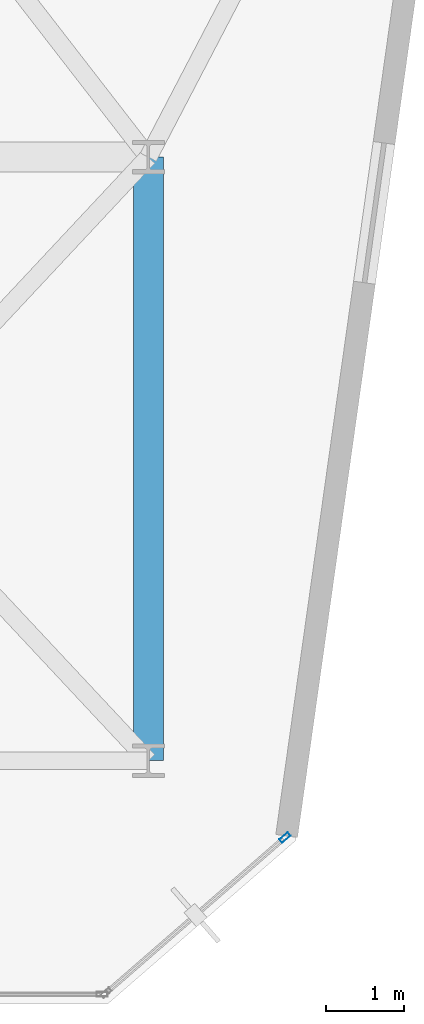
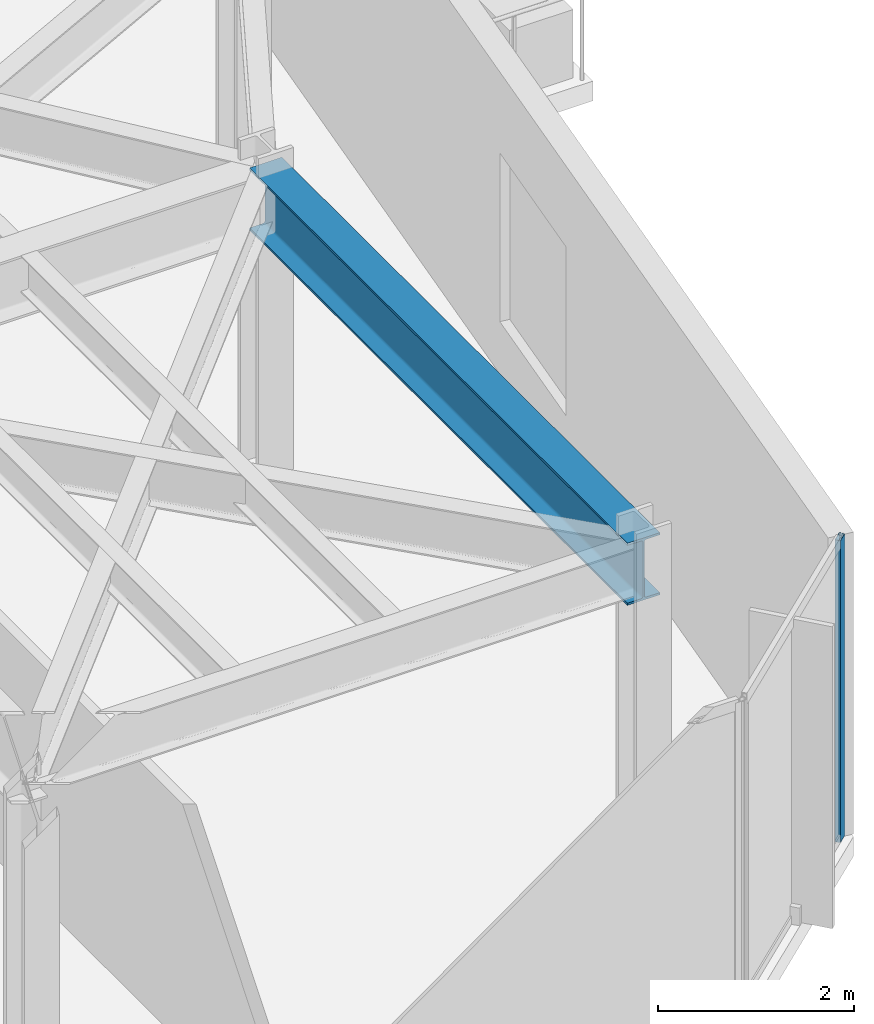
# One storey, part 20 of 27: 1 beam, 1 member, 1 element without a shape of its own.
"""IFC4 building model written with IfcOpenShell, lengths in metres."""

import ifcopenshell
import ifcopenshell.guid

model = None  # the IFC model being written
_history = None  # IfcOwnerHistory: only IFC2X3 demands one
_inside = {}  # id of a spatial element -> (the spatial element, [elements in it])
_under = {}  # id of a project, library or spatial element -> (it, [spatial elements below it])
_declared = {}  # id of a project -> (the project, [libraries it declares])
_typed = {}  # id of a type object -> (the type object, [elements of that type])
_made_of = {}  # id of a material, layer set ... -> (it, [elements and type objects made of it])


def new_model(schema):
    """Start an empty IFC model of exactly this schema.

    Asked for "IFC4X3", IfcOpenShell would pick the latest addendum, in which some entities
    have other attributes; the version numbers below select the first issue.
    IFC2X3 requires an IfcOwnerHistory on every rooted entity: one is made here for all.
    """
    global model, _history
    if schema == "IFC4X3":
        model = ifcopenshell.file(schema_version=(4, 3, 0, 0))
    else:
        model = ifcopenshell.file(schema=schema)
    _inside.clear()
    _under.clear()
    _declared.clear()
    _typed.clear()
    _made_of.clear()
    _history = None
    if model.schema == "IFC2X3":
        org = make("IfcOrganization", Name="unknown")
        user = make(
            "IfcPersonAndOrganization",
            ThePerson=make("IfcPerson", FamilyName="unknown"),
            TheOrganization=org,
        )
        app = make(
            "IfcApplication",
            ApplicationDeveloper=org,
            Version="unknown",
            ApplicationFullName="unknown",
            ApplicationIdentifier="unknown",
        )
        _history = make(
            "IfcOwnerHistory",
            OwningUser=user,
            OwningApplication=app,
            ChangeAction="ADDED",
            CreationDate=0,
        )
    return model


def make(cls, **values):
    """One entity of the class cls with the attributes given. An attribute that is None is left unset."""
    return model.create_entity(
        cls, **{name: value for name, value in values.items() if value is not None}
    )


def rooted(cls, **values):
    """An entity with a GlobalId (a new one), such as an element, a storey or a relation."""
    return make(cls, GlobalId=ifcopenshell.guid.new(), OwnerHistory=_history, **values)


def si_unit(unit_type, name, prefix=None):
    """IfcSIUnit, for example si_unit("LENGTHUNIT", "METRE", prefix="MILLI")."""
    return make("IfcSIUnit", UnitType=unit_type, Prefix=prefix, Name=name)


def assignment(units):
    """IfcUnitAssignment: the units of a project."""
    return None if units is None else make("IfcUnitAssignment", Units=units)


def point(xyz):
    """IfcCartesianPoint."""
    return None if xyz is None else make("IfcCartesianPoint", Coordinates=xyz)


def direction(xyz):
    """IfcDirection."""
    return None if xyz is None else make("IfcDirection", DirectionRatios=xyz)


def frame(location, z_axis=None, x_axis=None):
    """IfcAxis2Placement3D, a coordinate frame: its origin and axes. An axis left out is left unset."""
    return make(
        "IfcAxis2Placement3D",
        Location=point(location),
        Axis=direction(z_axis),
        RefDirection=direction(x_axis),
    )


def frame_2d(location, x_axis=None):
    """IfcAxis2Placement2D, a coordinate frame in the plane: its origin and x axis."""
    return make(
        "IfcAxis2Placement2D", Location=point(location), RefDirection=direction(x_axis)
    )


def origin():
    """The frame at (0, 0, 0) with its axes left unset."""
    return frame((0.0, 0.0, 0.0))


def origin_2d():
    """The frame at (0, 0) in the plane with its x axis left unset."""
    return frame_2d((0.0, 0.0))


def place(relative_to, where):
    """IfcLocalPlacement: puts the frame where relative to a parent placement (None: the world)."""
    return make(
        "IfcLocalPlacement", PlacementRelTo=relative_to, RelativePlacement=where
    )


def context(
    kind, dimensions, precision=None, world=None, true_north=None, identifier=None
):
    """IfcGeometricRepresentationContext, for example the 3D "Model" context."""
    return make(
        "IfcGeometricRepresentationContext",
        ContextIdentifier=identifier,
        ContextType=kind,
        CoordinateSpaceDimension=dimensions,
        Precision=precision,
        WorldCoordinateSystem=world,
        TrueNorth=true_north,
    )


def subcontext(parent, identifier, kind, view, scale=None):
    """IfcGeometricRepresentationSubContext, for example "Body" below "Model"."""
    return make(
        "IfcGeometricRepresentationSubContext",
        ContextIdentifier=identifier,
        ContextType=kind,
        ParentContext=parent,
        TargetScale=scale,
        TargetView=view,
    )


def project(units=None, contexts=None):
    """IfcProject with its units and contexts."""
    return rooted(
        "IfcProject",
        Name="project",
        RepresentationContexts=contexts,
        UnitsInContext=assignment(units),
    )


def spatial(cls, under=None, at=None, **own):
    """A site, building, storey or space (cls), placed at a placement, below another one or the project."""
    s = rooted(cls, ObjectPlacement=at, **own)
    if under is not None:
        _under.setdefault(under.id(), (under, []))[1].append(s)
    return s


def profile(cls, at=None, kind="AREA", **sizes):
    """A parametric profile (cls). Its sizes go by their IFC names, for example OverallWidth=200.0."""
    return make(cls, ProfileType=kind, Position=at, **sizes)


def hollow_rectangle(**sizes):
    """IfcRectangleHollowProfileDef."""
    return profile("IfcRectangleHollowProfileDef", **sizes)


def i_section(**sizes):
    """IfcIShapeProfileDef."""
    return profile("IfcIShapeProfileDef", **sizes)


def extrude(swept, where, along, depth):
    """IfcExtrudedAreaSolid: the profile swept, set in the frame where, extruded along a direction by depth."""
    return make(
        "IfcExtrudedAreaSolid",
        SweptArea=swept,
        Position=where,
        ExtrudedDirection=direction(along),
        Depth=depth,
    )


def shape(context_of_items, identifier, shape_type, items):
    """IfcShapeRepresentation: the items that make up one representation, for example the "Body"."""
    return make(
        "IfcShapeRepresentation",
        ContextOfItems=context_of_items,
        RepresentationIdentifier=identifier,
        RepresentationType=shape_type,
        Items=items,
    )


def material(Name=None, Category=None):
    """IfcMaterial."""
    return make("IfcMaterial", Name=Name, Category=Category)


def layer(
    of_material, thickness, ventilated=None, Name=None, Category=None, Priority=None
):
    """IfcMaterialLayer: one layer of a wall or slab, of a material (None: an air gap)."""
    return make(
        "IfcMaterialLayer",
        Material=of_material,
        LayerThickness=thickness,
        IsVentilated=ventilated,
        Name=Name,
        Category=Category,
        Priority=Priority,
    )


def layer_set(layers, Name=None):
    """IfcMaterialLayerSet."""
    return make("IfcMaterialLayerSet", MaterialLayers=layers, LayerSetName=Name)


def material_profile(
    of_material, cross_section, Name=None, Category=None, Priority=None
):
    """IfcMaterialProfile: a cross section and its material."""
    return make(
        "IfcMaterialProfile",
        Name=Name,
        Material=of_material,
        Profile=cross_section,
        Priority=Priority,
        Category=Category,
    )


def profile_set(profiles, Name=None, composite=None):
    """IfcMaterialProfileSet."""
    return make(
        "IfcMaterialProfileSet",
        Name=Name,
        MaterialProfiles=profiles,
        CompositeProfile=composite,
    )


def made_of(thing, what):
    """Note that an element or type object is made of a material, layer set ...; save() writes the relation."""
    if what is not None:
        _made_of.setdefault(what.id(), (what, []))[1].append(thing)
    return thing


def type_object(cls, material=None, **own):
    """A type object (cls), such as IfcWallType, which elements share."""
    return made_of(rooted(cls, **own), material)


def element(
    cls,
    number,
    at=None,
    inside=None,
    cuts=None,
    type_object=None,
    material=None,
    context=None,
    identifier="Body",
    shape_type=None,
    held_by="IfcProductDefinitionShape",
    body=None,
    shapes=None,
    **own,
):
    """One element of the class cls, such as IfcWall. Its Tag is "e" and its number.

    at: its placement. inside: the storey or other place that contains it. cuts: it is an
    opening in that element (IfcRelVoidsElement). A single representation is given by context,
    identifier, shape_type and body (its items); several are given by shapes. held_by: the class
    of the entity that holds the representations. save() writes the other relations.
    """
    e = rooted(cls, Tag="e%d" % number, ObjectPlacement=at, **own)
    if body is not None:
        shapes = [shape(context, identifier, shape_type, body)]
    if shapes is not None:
        e.Representation = make(held_by, Representations=shapes)
    if inside is not None:
        _inside.setdefault(inside.id(), (inside, []))[1].append(e)
    if cuts is not None:
        rooted(
            "IfcRelVoidsElement", RelatingBuildingElement=cuts, RelatedOpeningElement=e
        )
    if type_object is not None:
        _typed.setdefault(type_object.id(), (type_object, []))[1].append(e)
    return made_of(e, material)


def aggregate(whole, parts):
    """IfcRelAggregates: a whole, such as a stair, and the parts it consists of."""
    return rooted("IfcRelAggregates", RelatingObject=whole, RelatedObjects=parts)


def save(model, path):
    """Write the relations noted so far, then the file.

    IfcRelAggregates (storeys below a building ...), IfcRelContainedInSpatialStructure (elements
    in a storey), IfcRelDefinesByType, IfcRelAssociatesMaterial and IfcRelDeclares: one each for
    every whole, place, type object, material and project.
    """
    for whole, parts in _under.values():
        aggregate(whole, parts)
    for where, things in _inside.values():
        rooted(
            "IfcRelContainedInSpatialStructure",
            RelatedElements=things,
            RelatingStructure=where,
        )
    for kind, things in _typed.values():
        rooted("IfcRelDefinesByType", RelatedObjects=things, RelatingType=kind)
    for what, things in _made_of.values():
        rooted("IfcRelAssociatesMaterial", RelatedObjects=things, RelatingMaterial=what)
    for by, libraries in _declared.values():
        rooted("IfcRelDeclares", RelatingContext=by, RelatedDefinitions=libraries)
    model.write(path)


model = new_model("IFC4")

# Units and contexts
model_context = context("Model", 3, precision=1e-05, world=origin(), true_north=direction((0.0, 1.0)))
body_context = subcontext(model_context, "Body", "Model", "MODEL_VIEW")
ifc_project = project(units=[si_unit("LENGTHUNIT", "METRE"), si_unit("AREAUNIT", "SQUARE_METRE"), si_unit("VOLUMEUNIT", "CUBIC_METRE"), si_unit("PLANEANGLEUNIT", "RADIAN"), si_unit("MASSUNIT", "GRAM", prefix="KILO")], contexts=[model_context])

# Site, building, storey
site_placement = place(None, origin())
site = spatial("IfcSite", under=ifc_project, at=site_placement, CompositionType="ELEMENT")
building_placement = place(site_placement, origin())
building = spatial("IfcBuilding", under=site, at=building_placement, Name="Kravanh Interchange Tower", CompositionType="ELEMENT")
storey_placement = place(building_placement, frame((0.0, 0.0, 188.5)))
storey = spatial("IfcBuildingStorey", under=building, at=storey_placement, Name="L45", CompositionType="ELEMENT", Elevation=188.5)

# Curtain wall, member
ifc_material_1 = material(Name="Anodised Bronze Aluminium", Category="aluminium")
ifc_layer = layer(ifc_material_1, 0.179931640625)
ifc_layer_set = layer_set([ifc_layer], Name="Unitised Curtain Wall System CW-Z3 Upper Office")
curtain_wall_type = type_object("IfcCurtainWallType", Name="Unitised Curtain Wall System CW-Z3 Upper Office", PredefinedType="NOTDEFINED", material=ifc_layer_set)
curtain_wall_placement = place(storey_placement, origin())
curtain_wall = element("IfcCurtainWall", 1, at=curtain_wall_placement, inside=storey, type_object=curtain_wall_type, Name="L45 Unitised Curtain Wall CW-L45-02", PredefinedType="NOTDEFINED")
ifc_material_2 = material(Name="Anodised Bronze Aluminium", Category="aluminium")
ifc_material_profile_1 = material_profile(ifc_material_2, hollow_rectangle(XDim=0.06005859375, YDim=0.139892578125, WallThickness=0.00390625, at=origin_2d()), Name="ALU60X140X4")
ifc_profile_set_1 = profile_set([ifc_material_profile_1], Name="Anodised Bronze Aluminium")
member_type = type_object("IfcMemberType", Name="Curtain Wall Mullion ALU60X140X4 Bronze", PredefinedType="MULLION", material=ifc_profile_set_1)
member_placement = place(storey_placement, frame((64.94287109375, 13.52099609375, 0.0), z_axis=(0.0, 0.0, 1.0), x_axis=(0.65605090137, -0.754716645379, 0.0)))
member = element("IfcMember", 2, at=member_placement, type_object=member_type, Name="CW-Z3 mullion 1", PredefinedType="MULLION", context=body_context, shape_type="SweptSolid", body=[
    extrude(hollow_rectangle(XDim=0.06005859375, YDim=0.139892578125, WallThickness=0.00390625, at=origin_2d()), origin(), (0.0, 0.0, 1.0), 3.7548828125),
])
aggregate(curtain_wall, [member])

# Beam
ifc_material_3 = material(Name="Structural Steel S355", Category="steel")
ifc_material_profile_2 = material_profile(ifc_material_3, i_section(OverallWidth=0.381103515625, OverallDepth=0.77294921875, WebThickness=0.0166015625, FlangeThickness=0.027099609375, FilletRadius=0.02490234375, at=origin_2d()), Name="W30X173")
ifc_profile_set_2 = profile_set([ifc_material_profile_2], Name="Structural Steel S355")
beam_type = type_object("IfcBeamType", Name="Floor Beam W30X173 Structural Steel S355", PredefinedType="BEAM", material=ifc_profile_set_2)
beam_placement = place(storey_placement, frame((63.199951171875, 14.5, 3.368408203125), z_axis=(0.0, 1.0, 0.0), x_axis=(-1.0, 0.0, 0.0)))
element("IfcBeam", 3, at=beam_placement, inside=storey, type_object=beam_type, Name="L45 Primary Floor Girder 89", PredefinedType="BEAM", context=body_context, shape_type="SweptSolid", body=[
    extrude(i_section(OverallWidth=0.381103515625, OverallDepth=0.77294921875, WebThickness=0.0166015625, FlangeThickness=0.027099609375, FilletRadius=0.02490234375, at=origin_2d()), origin(), (0.0, 0.0, 1.0), 7.699951171875),
])

save(model, "model.ifc")
